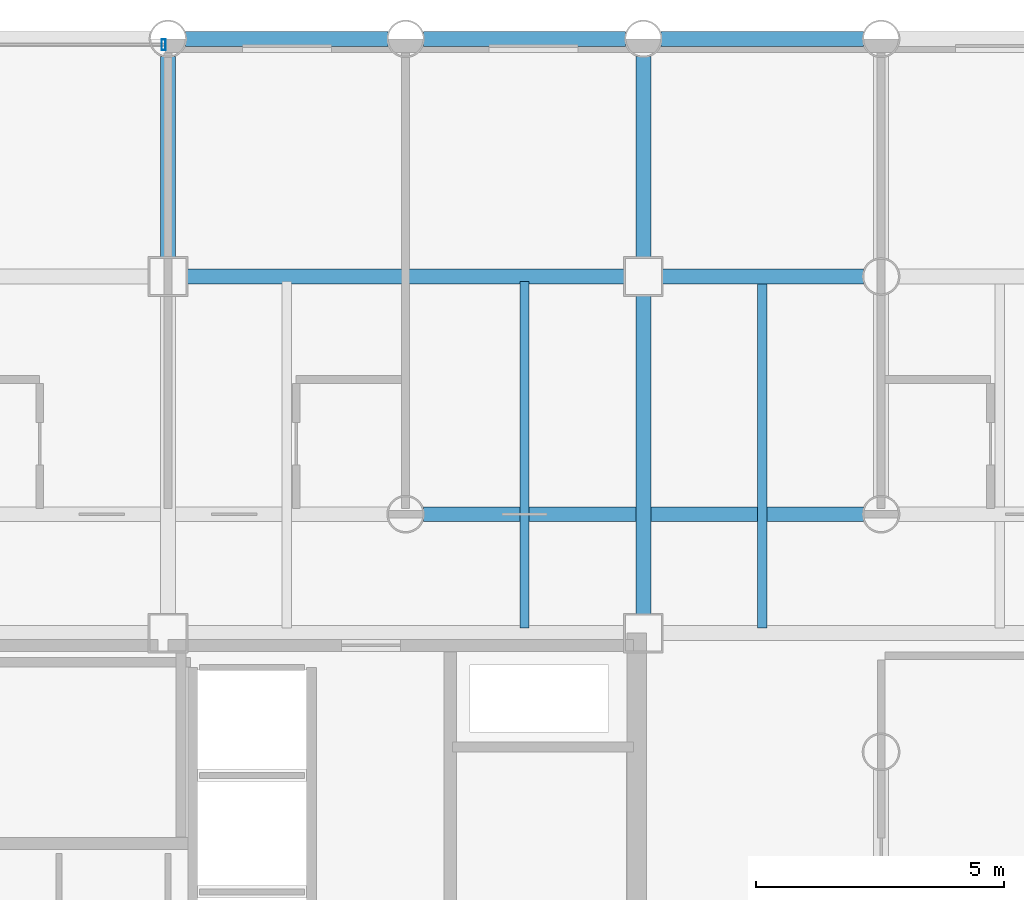
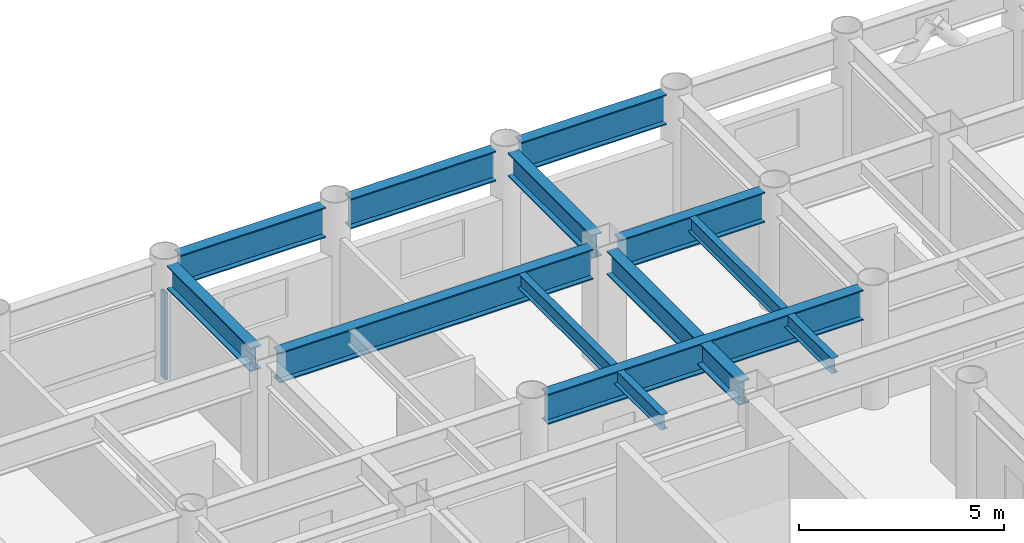
# One storey, part 12 of 19: 11 beams, 1 member, 1 element without a shape of its own.
"""IFC4 building model written with IfcOpenShell, lengths in metres."""

from ifc_helpers import new_model, si_unit, direction, frame, origin, origin_2d, place, context, subcontext, project, spatial, hollow_rectangle, i_section, extrude, material, layer, layer_set, material_profile, profile_set, type_object, element, aggregate, save


model = new_model("IFC4")

# Units and contexts
model_context = context("Model", 3, precision=1e-05, world=origin(), true_north=direction((0.0, 1.0)))
body_context = subcontext(model_context, "Body", "Model", "MODEL_VIEW")
ifc_project = project(units=[si_unit("LENGTHUNIT", "METRE"), si_unit("AREAUNIT", "SQUARE_METRE"), si_unit("VOLUMEUNIT", "CUBIC_METRE"), si_unit("PLANEANGLEUNIT", "RADIAN"), si_unit("MASSUNIT", "GRAM", prefix="KILO")], contexts=[model_context])

# Site, building, storey
site_placement = place(None, origin())
site = spatial("IfcSite", under=ifc_project, at=site_placement, CompositionType="ELEMENT")
building_placement = place(site_placement, origin())
building = spatial("IfcBuilding", under=site, at=building_placement, Name="Kallvorn Hotel Tower", CompositionType="ELEMENT")
storey_placement = place(building_placement, frame((0.0, 0.0, 67.0)))
storey = spatial("IfcBuildingStorey", under=building, at=storey_placement, Name="L15", CompositionType="ELEMENT", Elevation=67.0)

# Beams
ifc_material_1 = material(Name="Structural steel S355JR", Category="steel")
ifc_material_profile_1 = material_profile(ifc_material_1, i_section(OverallWidth=0.300048828125, OverallDepth=0.699951171875, WebThickness=0.01708984375, FlangeThickness=0.031982421875, at=origin_2d()), Name="HE 700 B")
ifc_profile_set_1 = profile_set([ifc_material_profile_1], Name="Structural steel S355JR")
beam_type_1 = type_object("IfcBeamType", Name="BM_HE700B", PredefinedType="BEAM", material=ifc_profile_set_1)
beam_1_placement = place(storey_placement, frame((4.800048828125, 14.77490234375, 3.169921875), z_axis=(0.0, 1.0, 0.0), x_axis=(-1.0, 0.0, 0.0)))
element("IfcBeam", 1, at=beam_1_placement, inside=storey, type_object=beam_type_1, Name="L16 Primary Y-Girder 117", PredefinedType="BEAM", context=body_context, shape_type="SweptSolid", body=[
    extrude(i_section(OverallWidth=0.300048828125, OverallDepth=0.699951171875, WebThickness=0.01708984375, FlangeThickness=0.031982421875, at=origin_2d()), origin(), (0.0, 0.0, 1.0), 4.069091796875),
])
beam_2_placement = place(storey_placement, frame((14.39990234375, 7.574951171875, 3.169921875), z_axis=(0.0, 1.0, 0.0), x_axis=(-1.0, 0.0, 0.0)))
element("IfcBeam", 2, at=beam_2_placement, inside=storey, type_object=beam_type_1, Name="L16 Primary Y-Girder 124", PredefinedType="BEAM", context=body_context, shape_type="SweptSolid", body=[
    extrude(i_section(OverallWidth=0.300048828125, OverallDepth=0.699951171875, WebThickness=0.01708984375, FlangeThickness=0.031982421875, at=origin_2d()), origin(), (0.0, 0.0, 1.0), 6.449951171875),
])
beam_3_placement = place(storey_placement, frame((14.39990234375, 14.77490234375, 3.169921875), z_axis=(0.0, 1.0, 0.0), x_axis=(-1.0, 0.0, 0.0)))
element("IfcBeam", 3, at=beam_3_placement, inside=storey, type_object=beam_type_1, Name="L16 Primary Y-Girder 125", PredefinedType="BEAM", context=body_context, shape_type="SweptSolid", body=[
    extrude(i_section(OverallWidth=0.300048828125, OverallDepth=0.699951171875, WebThickness=0.01708984375, FlangeThickness=0.031982421875, at=origin_2d()), origin(), (0.0, 0.0, 1.0), 4.069091796875),
])
ifc_material_2 = material(Name="Structural steel S355JR", Category="steel")
ifc_material_profile_2 = material_profile(ifc_material_2, i_section(OverallWidth=0.300048828125, OverallDepth=0.89990234375, WebThickness=0.0185546875, FlangeThickness=0.034912109375, at=origin_2d()), Name="HE 900 B")
ifc_profile_set_2 = profile_set([ifc_material_profile_2], Name="Structural steel S355JR")
beam_type_2 = type_object("IfcBeamType", Name="BM_HE900B", PredefinedType="BEAM", material=ifc_profile_set_2)
beam_4_placement = place(storey_placement, frame((9.9560546875, 9.60009765625, 3.070068359375), z_axis=(1.0, 0.0, 0.0), x_axis=(0.0, 1.0, 0.0)))
element("IfcBeam", 4, at=beam_4_placement, inside=storey, type_object=beam_type_2, Name="L16 Primary X-Girder 47", PredefinedType="BEAM", context=body_context, shape_type="SweptSolid", body=[
    extrude(i_section(OverallWidth=0.300048828125, OverallDepth=0.89990234375, WebThickness=0.0185546875, FlangeThickness=0.034912109375, at=origin_2d()), origin(), (0.0, 0.0, 1.0), 8.887939453125),
])
beam_5_placement = place(storey_placement, frame((5.175048828125, 14.39990234375, 3.070068359375), z_axis=(1.0, 0.0, 0.0), x_axis=(0.0, 1.0, 0.0)))
element("IfcBeam", 5, at=beam_5_placement, inside=storey, type_object=beam_type_2, Name="L16 Primary X-Girder 56", PredefinedType="BEAM", context=body_context, shape_type="SweptSolid", body=[
    extrude(i_section(OverallWidth=0.300048828125, OverallDepth=0.89990234375, WebThickness=0.0185546875, FlangeThickness=0.034912109375, at=origin_2d()), origin(), (0.0, 0.0, 1.0), 8.849853515625),
])
beam_6_placement = place(storey_placement, frame((14.77490234375, 14.39990234375, 3.070068359375), z_axis=(1.0, 0.0, 0.0), x_axis=(0.0, 1.0, 0.0)))
element("IfcBeam", 6, at=beam_6_placement, inside=storey, type_object=beam_type_2, Name="L16 Primary X-Girder 57", PredefinedType="BEAM", context=body_context, shape_type="SweptSolid", body=[
    extrude(i_section(OverallWidth=0.300048828125, OverallDepth=0.89990234375, WebThickness=0.0185546875, FlangeThickness=0.034912109375, at=origin_2d()), origin(), (0.0, 0.0, 1.0), 4.069091796875),
])
for number, where, z_axis, x_axis, name in (
    (7, (5.156005859375, 19.199951171875, 3.070068359375), (1.0, 0.0, 0.0), (0.0, 1.0, 0.0), "L16 Primary X-Girder 68"),
    (8, (9.9560546875, 19.199951171875, 3.070068359375), (1.0, 0.0, 0.0), (0.0, 1.0, 0.0), "L16 Primary X-Girder 69"),
    (9, (14.756103515625, 19.199951171875, 3.070068359375), (1.0, 0.0, 0.0), (0.0, 1.0, 0.0), "L16 Primary X-Girder 70"),
):
    element("IfcBeam", number, at=place(storey_placement, frame(where, z_axis=z_axis, x_axis=x_axis)), inside=storey, type_object=beam_type_2, Name=name, PredefinedType="BEAM", context=body_context, shape_type="SweptSolid", body=[
        extrude(i_section(OverallWidth=0.300048828125, OverallDepth=0.89990234375, WebThickness=0.0185546875, FlangeThickness=0.034912109375, at=origin_2d()), origin(), (0.0, 0.0, 1.0), 4.087890625),
    ])
ifc_material_3 = material(Name="Structural steel S355JR", Category="steel")
ifc_material_profile_3 = material_profile(ifc_material_3, i_section(OverallWidth=0.18994140625, OverallDepth=0.449951171875, WebThickness=0.009521484375, FlangeThickness=0.0146484375, at=origin_2d()), Name="IPE 450")
ifc_profile_set_3 = profile_set([ifc_material_profile_3], Name="Structural steel S355JR")
beam_type_3 = type_object("IfcBeamType", Name="BM_IPE450", PredefinedType="JOIST", material=ifc_profile_set_3)
for number, where, z_axis, x_axis, name in (
    (10, (12.0, 7.300048828125, 3.294921875), (0.0, 1.0, 0.0), (-1.0, 0.0, 0.0), "L16 Secondary Composite Joist 205"),
    (11, (16.800048828125, 7.300048828125, 3.294921875), (0.0, 1.0, 0.0), (-1.0, 0.0, 0.0), "L16 Secondary Composite Joist 207"),
):
    element("IfcBeam", number, at=place(storey_placement, frame(where, z_axis=z_axis, x_axis=x_axis)), inside=storey, type_object=beam_type_3, Name=name, PredefinedType="JOIST", context=body_context, shape_type="SweptSolid", body=[
        extrude(i_section(OverallWidth=0.18994140625, OverallDepth=0.449951171875, WebThickness=0.009521484375, FlangeThickness=0.0146484375, at=origin_2d()), origin(), (0.0, 0.0, 1.0), 7.0),
    ])

# Curtain wall, member
ifc_material_4 = material(Name="Thermally broken black-anodised aluminium AA 6063-T6", Category="aluminium")
ifc_layer = layer(ifc_material_4, 0.199951171875)
ifc_layer_set = layer_set([ifc_layer], Name="CW_SYS_3_HOTEL_LOW")
curtain_wall_type = type_object("IfcCurtainWallType", Name="CW_SYS_3_HOTEL_LOW", PredefinedType="USERDEFINED", material=ifc_layer_set)
curtain_wall_placement = place(storey_placement, origin())
curtain_wall = element("IfcCurtainWall", 12, at=curtain_wall_placement, inside=storey, type_object=curtain_wall_type, Name="L15 Dark-Glass Curtain Wall CW-L15-NC", ObjectType="UNITISED CURTAIN WALL", PredefinedType="USERDEFINED")
ifc_material_5 = material(Name="Thermally broken black-anodised aluminium AA 6063-T6", Category="aluminium")
ifc_material_profile_4 = material_profile(ifc_material_5, hollow_rectangle(XDim=0.080078125, YDim=0.219970703125, WallThickness=0.0048828125, at=origin_2d()), Name="MUL 220x80")
ifc_profile_set_4 = profile_set([ifc_material_profile_4], Name="Thermally broken black-anodised aluminium AA 6063-T6")
member_type = type_object("IfcMemberType", Name="CW_MULLION_220x80", PredefinedType="MULLION", material=ifc_profile_set_4)
member_placement = place(storey_placement, frame((4.7099609375, 19.080078125, 0.02001953125), z_axis=(0.0, 0.0, 1.0), x_axis=(1.0, 0.0, 0.0)))
member = element("IfcMember", 13, at=member_placement, type_object=member_type, Name="CW-L15-NC Mullion 02", PredefinedType="MULLION", context=body_context, shape_type="SweptSolid", body=[
    extrude(hollow_rectangle(XDim=0.080078125, YDim=0.219970703125, WallThickness=0.0048828125, at=origin_2d()), origin(), (0.0, 0.0, 1.0), 2.580078125),
])
aggregate(curtain_wall, [member])

save(model, "model.ifc")
